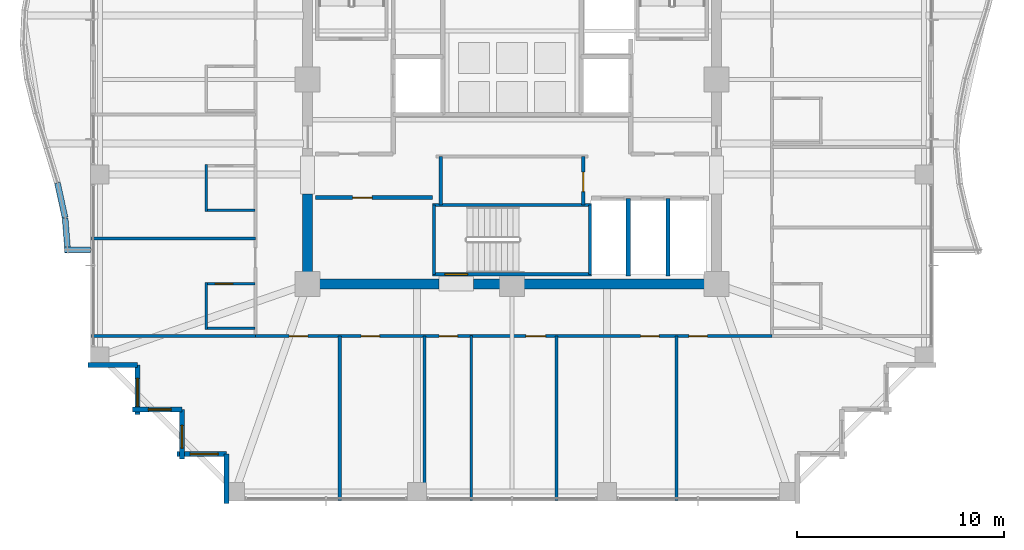
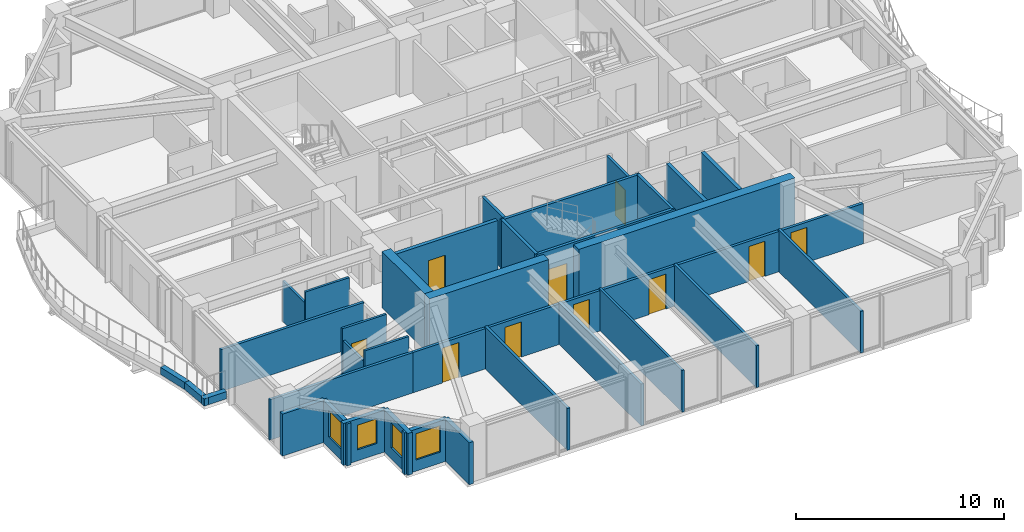
# One storey, part 28 of 34: 34 walls, 10 doors, 4 windows, 14 openings.
"""IFC4 building model written with IfcOpenShell, lengths in metres."""

from ifc_helpers import new_model, si_unit, direction, frame, frame_2d, origin, place, context, subcontext, project, spatial, rectangle, extrude, material, layer, layer_set, type_object, element, fill, save


model = new_model("IFC4")

# Units and contexts
model_context = context("Model", 3, precision=1e-05, world=origin(), true_north=direction((0.0, 1.0)))
body_context = subcontext(model_context, "Body", "Model", "MODEL_VIEW")
ifc_project = project(units=[si_unit("LENGTHUNIT", "METRE"), si_unit("AREAUNIT", "SQUARE_METRE"), si_unit("VOLUMEUNIT", "CUBIC_METRE"), si_unit("PLANEANGLEUNIT", "RADIAN"), si_unit("MASSUNIT", "GRAM", prefix="KILO")], contexts=[model_context])

# Site, building, storey
site_placement = place(None, origin())
site = spatial("IfcSite", under=ifc_project, at=site_placement, CompositionType="ELEMENT")
building_placement = place(site_placement, origin())
building = spatial("IfcBuilding", under=site, at=building_placement, Name="Kolvaren Belvedere", CompositionType="ELEMENT")
storey_placement = place(building_placement, frame((0.0, 0.0, 189.89990234375)))
storey = spatial("IfcBuildingStorey", under=building, at=storey_placement, Name="L55", CompositionType="ELEMENT", Elevation=189.89990234375)

# Walls
ifc_material_1 = material(Name="Concrete C50/60", Category="concrete")
ifc_layer_1 = layer(ifc_material_1, 0.5)
ifc_layer_set_1 = layer_set([ifc_layer_1], Name="Concrete C50/60")
wall_type_1 = type_object("IfcWallType", Name="CW-CORE-500", PredefinedType="SHEAR", material=ifc_layer_set_1)
wall_1_placement = place(storey_placement, frame((10.14990234375, -9.89990234375, 0.0), z_axis=(0.0, 0.0, 1.0), x_axis=(-1.0, 0.0, 0.0)))
element("IfcWall", 1, at=wall_1_placement, inside=storey, type_object=wall_type_1, Name="L55 South Core Shear Wall 1", PredefinedType="SHEAR", context=body_context, shape_type="SweptSolid", body=[
    extrude(rectangle(XDim=12.010009765625, YDim=0.5, at=frame_2d((6.0048828125, 0.0))), origin(), (0.0, 0.0, 1.0), 3.300048828125),
])
wall_2_placement = place(storey_placement, frame((-3.5400390625, -9.89990234375, 0.0), z_axis=(0.0, 0.0, 1.0), x_axis=(-1.0, 0.0, 0.0)))
element("IfcWall", 2, at=wall_2_placement, inside=storey, type_object=wall_type_1, Name="L55 South Core Shear Wall 2", PredefinedType="SHEAR", context=body_context, shape_type="SweptSolid", body=[
    extrude(rectangle(XDim=6.60986328125, YDim=0.5, at=frame_2d((3.304931640625, 0.0))), origin(), (0.0, 0.0, 1.0), 3.300048828125),
])
wall_3_placement = place(storey_placement, frame((-9.89990234375, -9.64990234375, 0.0), z_axis=(0.0, 0.0, 1.0), x_axis=(0.0, 1.0, 0.0)))
element("IfcWall", 3, at=wall_3_placement, inside=storey, type_object=wall_type_1, Name="L55 West Core Shear Wall 1", PredefinedType="SHEAR", context=body_context, shape_type="SweptSolid", body=[
    extrude(rectangle(XDim=4.099853515625, YDim=0.5, at=frame_2d((2.0498046875, 0.0))), origin(), (0.0, 0.0, 1.0), 3.300048828125),
])

# Wall, opening, door
ifc_material_2 = material(Name="Concrete C50/60", Category="concrete")
ifc_layer_2 = layer(ifc_material_2, 0.159912109375)
ifc_layer_set_2 = layer_set([ifc_layer_2], Name="Concrete C50/60")
wall_type_2 = type_object("IfcWallType", Name="CW-STAIR-160", PredefinedType="SHEAR", material=ifc_layer_set_2)
wall_4_placement = place(storey_placement, frame((3.860107421875, -9.429931640625, 0.0), z_axis=(0.0, 0.0, 1.0), x_axis=(-1.0, 0.0, 0.0)))
wall_4 = element("IfcWall", 4, at=wall_4_placement, inside=storey, type_object=wall_type_2, Name="L55 Stair ST-3 South Shear Wall", PredefinedType="SHEAR", context=body_context, shape_type="SweptSolid", body=[
    extrude(rectangle(XDim=7.72021484375, YDim=0.159912109375, at=frame_2d((3.860107421875, 0.0))), origin(), (0.0, 0.0, 1.0), 3.300048828125),
])
opening_1_placement = place(wall_4_placement, frame((6.010009765625, 0.0, 0.0)))
opening_1 = element("IfcOpeningElement", 5, at=opening_1_placement, cuts=wall_4, Name="Opening D-FD90", PredefinedType="OPENING", context=body_context, shape_type="SweptSolid", body=[
    extrude(rectangle(XDim=1.10009765625, YDim=2.199951171875, at=frame_2d((0.550048828125, 1.10009765625))), frame((0.0, 0.08984375, 0.0), z_axis=(0.0, -1.0, 0.0), x_axis=(1.0, 0.0, 0.0)), (0.0, 0.0, 1.0), 0.179931640625),
])
ifc_material_3 = material(Name="Painted hollow stainless steel", Category="steel")
door_type_1 = type_object("IfcDoorType", Name="DR-FD90-1100", OperationType="NOTDEFINED", PredefinedType="DOOR", material=ifc_material_3)
door_1_placement = place(opening_1_placement, origin())
door_1 = element("IfcDoor", 6, at=door_1_placement, inside=storey, type_object=door_type_1, Name="L55 Stair ST-3 Exit Door", OperationType="SINGLE_SWING_RIGHT", OverallHeight=2.199951171875, OverallWidth=1.10009765625, PredefinedType="DOOR", context=body_context, shape_type="SweptSolid", body=[
    extrude(rectangle(XDim=1.10009765625, YDim=2.199951171875, at=frame_2d((0.550048828125, 1.10009765625))), frame((0.0, 0.02490234375, 0.0), z_axis=(0.0, -1.0, 0.0), x_axis=(1.0, 0.0, 0.0)), (0.0, 0.0, 1.0), 0.050048828125),
])
fill(opening_1, door_1)

# Walls
wall_5_placement = place(storey_placement, frame((-3.860107421875, -6.080078125, 0.0), z_axis=(0.0, 0.0, 1.0), x_axis=(1.0, 0.0, 0.0)))
element("IfcWall", 7, at=wall_5_placement, inside=storey, type_object=wall_type_2, Name="L55 Stair ST-3 North Shear Wall", PredefinedType="SHEAR", context=body_context, shape_type="SweptSolid", body=[
    extrude(rectangle(XDim=7.72021484375, YDim=0.159912109375, at=frame_2d((3.860107421875, 0.0))), origin(), (0.0, 0.0, 1.0), 3.300048828125),
])
for number, where, z_axis, x_axis, name in (
    (8, (-3.780029296875, -9.429931640625, 0.0), (0.0, 0.0, 1.0), (0.0, 1.0, 0.0), "L55 Stair ST-3 West Shear Wall"),
    (9, (3.780029296875, -9.429931640625, 0.0), (0.0, 0.0, 1.0), (0.0, 1.0, 0.0), "L55 Stair ST-3 East Shear Wall"),
):
    element("IfcWall", number, at=place(storey_placement, frame(where, z_axis=z_axis, x_axis=x_axis)), inside=storey, type_object=wall_type_2, Name=name, PredefinedType="SHEAR", context=body_context, shape_type="SweptSolid", body=[
        extrude(rectangle(XDim=3.349853515625, YDim=0.159912109375, at=frame_2d((1.6748046875, 0.0))), origin(), (0.0, 0.0, 1.0), 3.300048828125),
    ])

# Wall, openings, doors
ifc_material_4 = material(Name="Gypsum fire-rated partition assembly", Category="gypsum")
ifc_layer_3 = layer(ifc_material_4, 0.14990234375)
ifc_layer_set_3 = layer_set([ifc_layer_3], Name="Gypsum fire-rated partition assembly")
wall_type_3 = type_object("IfcWallType", Name="WL-CORR-150", PredefinedType="PARTITIONING", material=ifc_layer_set_3)
wall_6_placement = place(storey_placement, frame((-12.419921875, -12.419921875, 0.0), z_axis=(0.0, 0.0, 1.0), x_axis=(1.0, 0.0, 0.0)))
wall_6 = element("IfcWall", 10, at=wall_6_placement, inside=storey, type_object=wall_type_3, Name="L55 South Corridor Wall", PredefinedType="PARTITIONING", context=body_context, shape_type="SweptSolid", body=[
    extrude(rectangle(XDim=25.0, YDim=0.14990234375, at=frame_2d((12.5, 0.0))), origin(), (0.0, 0.0, 1.0), 2.369140625),
])
opening_2_placement = place(wall_6_placement, frame((1.63330078125, 0.0, 0.0)))
opening_2 = element("IfcOpeningElement", 11, at=opening_2_placement, cuts=wall_6, Name="Opening D-INT90", PredefinedType="OPENING", context=body_context, shape_type="SweptSolid", body=[
    extrude(rectangle(XDim=0.89990234375, YDim=2.06005859375, at=frame_2d((0.449951171875, 1.030029296875))), frame((0.0, 0.0849609375, 0.0), z_axis=(0.0, -1.0, 0.0), x_axis=(1.0, 0.0, 0.0)), (0.0, 0.0, 1.0), 0.169921875),
])
opening_3_placement = place(wall_6_placement, frame((5.113037109375, 0.0, 0.0)))
opening_3 = element("IfcOpeningElement", 12, at=opening_3_placement, cuts=wall_6, Name="Opening D-INT90", PredefinedType="OPENING", context=body_context, shape_type="SweptSolid", body=[
    extrude(rectangle(XDim=0.89990234375, YDim=2.06005859375, at=frame_2d((0.449951171875, 1.030029296875))), frame((0.0, 0.0849609375, 0.0), z_axis=(0.0, -1.0, 0.0), x_axis=(1.0, 0.0, 0.0)), (0.0, 0.0, 1.0), 0.169921875),
])
opening_4_placement = place(wall_6_placement, frame((8.8916015625, 0.0, 0.0)))
opening_4 = element("IfcOpeningElement", 13, at=opening_4_placement, cuts=wall_6, Name="Opening D-INT90", PredefinedType="OPENING", context=body_context, shape_type="SweptSolid", body=[
    extrude(rectangle(XDim=0.89990234375, YDim=2.06005859375, at=frame_2d((0.449951171875, 1.030029296875))), frame((0.0, 0.0849609375, 0.0), z_axis=(0.0, -1.0, 0.0), x_axis=(1.0, 0.0, 0.0)), (0.0, 0.0, 1.0), 0.169921875),
])
opening_5_placement = place(wall_6_placement, frame((13.096923828125, 0.0, 0.0)))
opening_5 = element("IfcOpeningElement", 14, at=opening_5_placement, cuts=wall_6, Name="Opening D-INT95", PredefinedType="OPENING", context=body_context, shape_type="SweptSolid", body=[
    extrude(rectangle(XDim=0.949951171875, YDim=2.06005859375, at=frame_2d((0.47509765625, 1.030029296875))), frame((0.0, 0.0849609375, 0.0), z_axis=(0.0, -1.0, 0.0), x_axis=(1.0, 0.0, 0.0)), (0.0, 0.0, 1.0), 0.169921875),
])
opening_6_placement = place(wall_6_placement, frame((18.646484375, 0.0, 0.0)))
opening_6 = element("IfcOpeningElement", 15, at=opening_6_placement, cuts=wall_6, Name="Opening D-INT90", PredefinedType="OPENING", context=body_context, shape_type="SweptSolid", body=[
    extrude(rectangle(XDim=0.89990234375, YDim=2.06005859375, at=frame_2d((0.449951171875, 1.030029296875))), frame((0.0, 0.0849609375, 0.0), z_axis=(0.0, -1.0, 0.0), x_axis=(1.0, 0.0, 0.0)), (0.0, 0.0, 1.0), 0.169921875),
])
opening_7_placement = place(wall_6_placement, frame((20.9814453125, 0.0, 0.0)))
opening_7 = element("IfcOpeningElement", 16, at=opening_7_placement, cuts=wall_6, Name="Opening D-INT90", PredefinedType="OPENING", context=body_context, shape_type="SweptSolid", body=[
    extrude(rectangle(XDim=0.89990234375, YDim=2.06005859375, at=frame_2d((0.449951171875, 1.030029296875))), frame((0.0, 0.0849609375, 0.0), z_axis=(0.0, -1.0, 0.0), x_axis=(1.0, 0.0, 0.0)), (0.0, 0.0, 1.0), 0.169921875),
])
ifc_material_5 = material(Name="Stained Pacific white oak", Category="timber")
door_type_2 = type_object("IfcDoorType", Name="DR-INT-900", OperationType="NOTDEFINED", PredefinedType="DOOR", material=ifc_material_5)
door_2_placement = place(opening_2_placement, origin())
door_2 = element("IfcDoor", 17, at=door_2_placement, inside=storey, type_object=door_type_2, Name="L55 Guest Tea & Espresso Kitchen 5501 Door", OperationType="SINGLE_SWING_LEFT", OverallHeight=2.06005859375, OverallWidth=0.89990234375, PredefinedType="DOOR", context=body_context, shape_type="SweptSolid", body=[
    extrude(rectangle(XDim=0.89990234375, YDim=2.06005859375, at=frame_2d((0.449951171875, 1.030029296875))), frame((0.0, 0.02490234375, 0.0), z_axis=(0.0, -1.0, 0.0), x_axis=(1.0, 0.0, 0.0)), (0.0, 0.0, 1.0), 0.050048828125),
])
fill(opening_2, door_2)
door_3_placement = place(opening_3_placement, origin())
door_3 = element("IfcDoor", 18, at=door_3_placement, inside=storey, type_object=door_type_2, Name="L55 Private Hospitality Meeting Room 5502 Door", OperationType="SINGLE_SWING_RIGHT", OverallHeight=2.06005859375, OverallWidth=0.89990234375, PredefinedType="DOOR", context=body_context, shape_type="SweptSolid", body=[
    extrude(rectangle(XDim=0.89990234375, YDim=2.06005859375, at=frame_2d((0.449951171875, 1.030029296875))), frame((0.0, 0.02490234375, 0.0), z_axis=(0.0, -1.0, 0.0), x_axis=(1.0, 0.0, 0.0)), (0.0, 0.0, 1.0), 0.050048828125),
])
fill(opening_3, door_3)
door_4_placement = place(opening_4_placement, origin())
door_4 = element("IfcDoor", 19, at=door_4_placement, inside=storey, type_object=door_type_2, Name="L55 Housekeeping Door", OperationType="SINGLE_SWING_LEFT", OverallHeight=2.06005859375, OverallWidth=0.89990234375, PredefinedType="DOOR", context=body_context, shape_type="SweptSolid", body=[
    extrude(rectangle(XDim=0.89990234375, YDim=2.06005859375, at=frame_2d((0.449951171875, 1.030029296875))), frame((0.0, 0.02490234375, 0.0), z_axis=(0.0, -1.0, 0.0), x_axis=(1.0, 0.0, 0.0)), (0.0, 0.0, 1.0), 0.050048828125),
])
fill(opening_4, door_4)
door_5_placement = place(opening_6_placement, origin())
door_5 = element("IfcDoor", 20, at=door_5_placement, inside=storey, type_object=door_type_2, Name="L55 Botanical Reading Salon 5503 Door", OperationType="SINGLE_SWING_LEFT", OverallHeight=2.06005859375, OverallWidth=0.89990234375, PredefinedType="DOOR", context=body_context, shape_type="SweptSolid", body=[
    extrude(rectangle(XDim=0.89990234375, YDim=2.06005859375, at=frame_2d((0.449951171875, 1.030029296875))), frame((0.0, 0.02490234375, 0.0), z_axis=(0.0, -1.0, 0.0), x_axis=(1.0, 0.0, 0.0)), (0.0, 0.0, 1.0), 0.050048828125),
])
fill(opening_6, door_5)
door_6_placement = place(opening_7_placement, origin())
door_6 = element("IfcDoor", 21, at=door_6_placement, inside=storey, type_object=door_type_2, Name="L55 Lounge 5504 Door", OperationType="SINGLE_SWING_RIGHT", OverallHeight=2.06005859375, OverallWidth=0.89990234375, PredefinedType="DOOR", context=body_context, shape_type="SweptSolid", body=[
    extrude(rectangle(XDim=0.89990234375, YDim=2.06005859375, at=frame_2d((0.449951171875, 1.030029296875))), frame((0.0, 0.02490234375, 0.0), z_axis=(0.0, -1.0, 0.0), x_axis=(1.0, 0.0, 0.0)), (0.0, 0.0, 1.0), 0.050048828125),
])
fill(opening_7, door_6)
ifc_material_6 = material(Name="Stained Pacific white oak", Category="timber")
door_type_3 = type_object("IfcDoorType", Name="DR-INT-950", OperationType="NOTDEFINED", PredefinedType="DOOR", material=ifc_material_6)
door_7_placement = place(opening_5_placement, origin())
door_7 = element("IfcDoor", 22, at=door_7_placement, inside=storey, type_object=door_type_3, Name="L55 Accessible Washroom Door", OperationType="SINGLE_SWING_RIGHT", OverallHeight=2.06005859375, OverallWidth=0.949951171875, PredefinedType="DOOR", context=body_context, shape_type="SweptSolid", body=[
    extrude(rectangle(XDim=0.949951171875, YDim=2.06005859375, at=frame_2d((0.47509765625, 1.030029296875))), frame((0.0, 0.02490234375, 0.0), z_axis=(0.0, -1.0, 0.0), x_axis=(1.0, 0.0, 0.0)), (0.0, 0.0, 1.0), 0.050048828125),
])
fill(opening_5, door_7)

# Wall
ifc_material_7 = material(Name="Insulated pale-metal facade wall assembly", Category="aluminium")
ifc_layer_4 = layer(ifc_material_7, 0.239990234375)
ifc_layer_set_4 = layer_set([ifc_layer_4], Name="Insulated pale-metal facade wall assembly")
wall_type_4 = type_object("IfcWallType", Name="WL-EXT-240", PredefinedType="STANDARD", material=ifc_layer_set_4)
wall_7_placement = place(storey_placement, frame((-18.1298828125, -13.830078125, 0.0), z_axis=(0.0, 0.0, 1.0), x_axis=(-1.0, 0.0, 0.0)))
element("IfcWall", 23, at=wall_7_placement, inside=storey, type_object=wall_type_4, Name="L55 Serrated Corner Facade Wall 23", PredefinedType="STANDARD", context=body_context, shape_type="SweptSolid", body=[
    extrude(rectangle(XDim=2.39013671875, YDim=0.239990234375, at=frame_2d((1.195068359375, 0.0))), origin(), (0.0, 0.0, 1.0), 2.463134765625),
])

# Wall, opening, window
wall_8_placement = place(storey_placement, frame((-18.1298828125, -16.219970703125, 0.0), z_axis=(0.0, 0.0, 1.0), x_axis=(0.0, 1.0, 0.0)))
wall_8 = element("IfcWall", 24, at=wall_8_placement, inside=storey, type_object=wall_type_4, Name="L55 Serrated Corner Facade Wall 24", PredefinedType="STANDARD", context=body_context, shape_type="SweptSolid", body=[
    extrude(rectangle(XDim=2.389892578125, YDim=0.239990234375, at=frame_2d((1.19482421875, 0.0))), origin(), (0.0, 0.0, 1.0), 2.463134765625),
])
opening_8_placement = place(wall_8_placement, frame((0.39990234375, 0.0, 0.64990234375)))
opening_8 = element("IfcOpeningElement", 25, at=opening_8_placement, cuts=wall_8, Name="Opening W-1350", PredefinedType="OPENING", context=body_context, shape_type="SweptSolid", body=[
    extrude(rectangle(XDim=1.35009765625, YDim=1.550048828125, at=frame_2d((0.675048828125, 0.77490234375))), frame((0.0, 0.1298828125, 0.0), z_axis=(0.0, -1.0, 0.0), x_axis=(1.0, 0.0, 0.0)), (0.0, 0.0, 1.0), 0.260009765625),
])
ifc_material_8 = material(Name="Low-iron triple insulated glass", Category="glass")
window_type_1 = type_object("IfcWindowType", Name="WN-CORN-1350", PartitioningType="SINGLE_PANEL", PredefinedType="WINDOW", material=ifc_material_8)
window_1_placement = place(opening_8_placement, origin())
window_1 = element("IfcWindow", 26, at=window_1_placement, inside=storey, type_object=window_type_1, Name="L55 Serrated Corner Vision Window 24", OverallHeight=1.550048828125, OverallWidth=1.35009765625, PartitioningType="SINGLE_PANEL", PredefinedType="WINDOW", context=body_context, shape_type="SweptSolid", body=[
    extrude(rectangle(XDim=1.35009765625, YDim=1.550048828125, at=frame_2d((0.675048828125, 0.77490234375))), frame((0.0, 0.030029296875, 0.0), z_axis=(0.0, -1.0, 0.0), x_axis=(1.0, 0.0, 0.0)), (0.0, 0.0, 1.0), 0.06005859375),
])
fill(opening_8, window_1)

wall_9_placement = place(storey_placement, frame((-15.97998046875, -15.97998046875, 0.0), z_axis=(0.0, 0.0, 1.0), x_axis=(-1.0, 0.0, 0.0)))
wall_9 = element("IfcWall", 27, at=wall_9_placement, inside=storey, type_object=wall_type_4, Name="L55 Serrated Corner Facade Wall 25", PredefinedType="STANDARD", context=body_context, shape_type="SweptSolid", body=[
    extrude(rectangle(XDim=2.39013671875, YDim=0.239990234375, at=frame_2d((1.195068359375, 0.0))), origin(), (0.0, 0.0, 1.0), 2.463134765625),
])
opening_9_placement = place(wall_9_placement, frame((0.52490234375, 0.0, 0.64990234375)))
opening_9 = element("IfcOpeningElement", 28, at=opening_9_placement, cuts=wall_9, Name="Opening W-1100", PredefinedType="OPENING", context=body_context, shape_type="SweptSolid", body=[
    extrude(rectangle(XDim=1.10009765625, YDim=1.449951171875, at=frame_2d((0.550048828125, 0.72509765625))), frame((0.0, 0.1298828125, 0.0), z_axis=(0.0, -1.0, 0.0), x_axis=(1.0, 0.0, 0.0)), (0.0, 0.0, 1.0), 0.260009765625),
])
ifc_material_9 = material(Name="Low-iron triple insulated glass", Category="glass")
window_type_2 = type_object("IfcWindowType", Name="WN-CORN-1100", PartitioningType="SINGLE_PANEL", PredefinedType="WINDOW", material=ifc_material_9)
window_2_placement = place(opening_9_placement, origin())
window_2 = element("IfcWindow", 29, at=window_2_placement, inside=storey, type_object=window_type_2, Name="L55 Serrated Corner Vision Window 25", OverallHeight=1.449951171875, OverallWidth=1.10009765625, PartitioningType="SINGLE_PANEL", PredefinedType="WINDOW", context=body_context, shape_type="SweptSolid", body=[
    extrude(rectangle(XDim=1.10009765625, YDim=1.449951171875, at=frame_2d((0.550048828125, 0.72509765625))), frame((0.0, 0.030029296875, 0.0), z_axis=(0.0, -1.0, 0.0), x_axis=(1.0, 0.0, 0.0)), (0.0, 0.0, 1.0), 0.06005859375),
])
fill(opening_9, window_2)

wall_10_placement = place(storey_placement, frame((-15.97998046875, -18.3701171875, 0.0), z_axis=(0.0, 0.0, 1.0), x_axis=(0.0, 1.0, 0.0)))
wall_10 = element("IfcWall", 30, at=wall_10_placement, inside=storey, type_object=wall_type_4, Name="L55 Serrated Corner Facade Wall 26", PredefinedType="STANDARD", context=body_context, shape_type="SweptSolid", body=[
    extrude(rectangle(XDim=2.39013671875, YDim=0.239990234375, at=frame_2d((1.195068359375, 0.0))), origin(), (0.0, 0.0, 1.0), 2.463134765625),
])
opening_10_placement = place(wall_10_placement, frame((0.52490234375, 0.0, 0.64990234375)))
opening_10 = element("IfcOpeningElement", 31, at=opening_10_placement, cuts=wall_10, Name="Opening W-1100", PredefinedType="OPENING", context=body_context, shape_type="SweptSolid", body=[
    extrude(rectangle(XDim=1.10009765625, YDim=1.449951171875, at=frame_2d((0.550048828125, 0.72509765625))), frame((0.0, 0.1298828125, 0.0), z_axis=(0.0, -1.0, 0.0), x_axis=(1.0, 0.0, 0.0)), (0.0, 0.0, 1.0), 0.260009765625),
])
window_3_placement = place(opening_10_placement, origin())
window_3 = element("IfcWindow", 32, at=window_3_placement, inside=storey, type_object=window_type_2, Name="L55 Serrated Corner Vision Window 26", OverallHeight=1.449951171875, OverallWidth=1.10009765625, PartitioningType="SINGLE_PANEL", PredefinedType="WINDOW", context=body_context, shape_type="SweptSolid", body=[
    extrude(rectangle(XDim=1.10009765625, YDim=1.449951171875, at=frame_2d((0.550048828125, 0.72509765625))), frame((0.0, 0.030029296875, 0.0), z_axis=(0.0, -1.0, 0.0), x_axis=(1.0, 0.0, 0.0)), (0.0, 0.0, 1.0), 0.06005859375),
])
fill(opening_10, window_3)

wall_11_placement = place(storey_placement, frame((-13.830078125, -18.1298828125, 0.0), z_axis=(0.0, 0.0, 1.0), x_axis=(-1.0, 0.0, 0.0)))
wall_11 = element("IfcWall", 33, at=wall_11_placement, inside=storey, type_object=wall_type_4, Name="L55 Serrated Corner Facade Wall 27", PredefinedType="STANDARD", context=body_context, shape_type="SweptSolid", body=[
    extrude(rectangle(XDim=2.389892578125, YDim=0.239990234375, at=frame_2d((1.19482421875, 0.0))), origin(), (0.0, 0.0, 1.0), 2.463134765625),
])
opening_11_placement = place(wall_11_placement, frame((0.39990234375, 0.0, 0.64990234375)))
opening_11 = element("IfcOpeningElement", 34, at=opening_11_placement, cuts=wall_11, Name="Opening W-1350", PredefinedType="OPENING", context=body_context, shape_type="SweptSolid", body=[
    extrude(rectangle(XDim=1.35009765625, YDim=1.550048828125, at=frame_2d((0.675048828125, 0.77490234375))), frame((0.0, 0.1298828125, 0.0), z_axis=(0.0, -1.0, 0.0), x_axis=(1.0, 0.0, 0.0)), (0.0, 0.0, 1.0), 0.260009765625),
])
window_4_placement = place(opening_11_placement, origin())
window_4 = element("IfcWindow", 35, at=window_4_placement, inside=storey, type_object=window_type_1, Name="L55 Serrated Corner Vision Window 27", OverallHeight=1.550048828125, OverallWidth=1.35009765625, PartitioningType="SINGLE_PANEL", PredefinedType="WINDOW", context=body_context, shape_type="SweptSolid", body=[
    extrude(rectangle(XDim=1.35009765625, YDim=1.550048828125, at=frame_2d((0.675048828125, 0.77490234375))), frame((0.0, 0.030029296875, 0.0), z_axis=(0.0, -1.0, 0.0), x_axis=(1.0, 0.0, 0.0)), (0.0, 0.0, 1.0), 0.06005859375),
])
fill(opening_11, window_4)

# Wall
wall_12_placement = place(storey_placement, frame((-13.830078125, -20.52001953125, 0.0), z_axis=(0.0, 0.0, 1.0), x_axis=(0.0, 1.0, 0.0)))
element("IfcWall", 36, at=wall_12_placement, inside=storey, type_object=wall_type_4, Name="L55 Serrated Corner Facade Wall 28", PredefinedType="STANDARD", context=body_context, shape_type="SweptSolid", body=[
    extrude(rectangle(XDim=2.39013671875, YDim=0.239990234375, at=frame_2d((1.195068359375, 0.0))), origin(), (0.0, 0.0, 1.0), 2.463134765625),
])

# Wall, opening, door
ifc_material_10 = material(Name="Gypsum acoustic partition assembly", Category="gypsum")
ifc_layer_5 = layer(ifc_material_10, 0.14990234375)
ifc_layer_set_5 = layer_set([ifc_layer_5], Name="Gypsum acoustic partition assembly")
wall_type_5 = type_object("IfcWallType", Name="WL-PART-150", PredefinedType="PARTITIONING", material=ifc_layer_set_5)
wall_13_placement = place(storey_placement, frame((3.449951171875, -6.080078125, 0.0), z_axis=(0.0, 0.0, 1.0), x_axis=(0.0, 1.0, 0.0)))
wall_13 = element("IfcWall", 37, at=wall_13_placement, inside=storey, type_object=wall_type_5, Name="L55 South Core Service East Wall", PredefinedType="PARTITIONING", context=body_context, shape_type="SweptSolid", body=[
    extrude(rectangle(XDim=2.360107421875, YDim=0.14990234375, at=frame_2d((1.18017578125, 0.0))), origin(), (0.0, 0.0, 1.0), 3.080078125),
])
opening_12_placement = place(wall_13_placement, frame((0.64990234375, 0.0, 0.0)))
opening_12 = element("IfcOpeningElement", 38, at=opening_12_placement, cuts=wall_13, Name="Opening D-FD60", PredefinedType="OPENING", context=body_context, shape_type="SweptSolid", body=[
    extrude(rectangle(XDim=0.949951171875, YDim=2.06005859375, at=frame_2d((0.47509765625, 1.030029296875))), frame((0.0, 0.0849609375, 0.0), z_axis=(0.0, -1.0, 0.0), x_axis=(1.0, 0.0, 0.0)), (0.0, 0.0, 1.0), 0.169921875),
])
ifc_material_11 = material(Name="Acoustic white-oak fire door leaf", Category="timber")
door_type_4 = type_object("IfcDoorType", Name="DR-FD60-950", OperationType="NOTDEFINED", PredefinedType="DOOR", material=ifc_material_11)
door_8_placement = place(opening_12_placement, origin())
door_8 = element("IfcDoor", 39, at=door_8_placement, inside=storey, type_object=door_type_4, Name="L55 Core Service Room Door", OperationType="SINGLE_SWING_LEFT", OverallHeight=2.06005859375, OverallWidth=0.949951171875, PredefinedType="DOOR", context=body_context, shape_type="SweptSolid", body=[
    extrude(rectangle(XDim=0.949951171875, YDim=2.06005859375, at=frame_2d((0.47509765625, 1.030029296875))), frame((0.0, 0.02490234375, 0.0), z_axis=(0.0, -1.0, 0.0), x_axis=(1.0, 0.0, 0.0)), (0.0, 0.0, 1.0), 0.050048828125),
])
fill(opening_12, door_8)

# Walls
wall_14_placement = place(storey_placement, frame((-3.449951171875, -6.080078125, 0.0), z_axis=(0.0, 0.0, 1.0), x_axis=(0.0, 1.0, 0.0)))
element("IfcWall", 40, at=wall_14_placement, inside=storey, type_object=wall_type_5, Name="L55 South Core Service West Wall", PredefinedType="PARTITIONING", context=body_context, shape_type="SweptSolid", body=[
    extrude(rectangle(XDim=2.360107421875, YDim=0.14990234375, at=frame_2d((1.18017578125, 0.0))), origin(), (0.0, 0.0, 1.0), 3.080078125),
])
wall_15_placement = place(storey_placement, frame((-20.3798828125, -12.419921875, 0.0), z_axis=(0.0, 0.0, 1.0), x_axis=(1.0, 0.0, 0.0)))
element("IfcWall", 41, at=wall_15_placement, inside=storey, type_object=wall_type_5, Name="L55 Wing Divider PW-L55-QSW", PredefinedType="PARTITIONING", context=body_context, shape_type="SweptSolid", body=[
    extrude(rectangle(XDim=7.9599609375, YDim=0.14990234375, at=frame_2d((3.97998046875, 0.0))), origin(), (0.0, 0.0, 1.0), 2.369140625),
])
for number, where, z_axis, x_axis, name in (
    (42, (-8.340087890625, -20.3798828125, 0.0), (0.0, 0.0, 1.0), (0.0, 1.0, 0.0), "L55 South Suite Demising Wall 1"),
    (43, (-4.239990234375, -20.3798828125, 0.0), (0.0, 0.0, 1.0), (0.0, 1.0, 0.0), "L55 South Suite Demising Wall 2"),
    (44, (2.159912109375, -20.3798828125, 0.0), (0.0, 0.0, 1.0), (0.0, 1.0, 0.0), "L55 South Suite Demising Wall 3"),
    (45, (7.9599609375, -20.3798828125, 0.0), (0.0, 0.0, 1.0), (0.0, 1.0, 0.0), "L55 South Suite Demising Wall 4"),
    (46, (-20.3798828125, -7.7041015625, 0.0), (0.0, 0.0, 1.0), (1.0, 0.0, 0.0), "L55 West Suite Demising Wall 1"),
):
    element("IfcWall", number, at=place(storey_placement, frame(where, z_axis=z_axis, x_axis=x_axis)), inside=storey, type_object=wall_type_5, Name=name, PredefinedType="PARTITIONING", context=body_context, shape_type="SweptSolid", body=[
        extrude(rectangle(XDim=7.9599609375, YDim=0.14990234375, at=frame_2d((3.97998046875, 0.0))), origin(), (0.0, 0.0, 1.0), 2.453125),
    ])
ifc_material_12 = material(Name="Precast concrete C40/50", Category="concrete")
ifc_layer_6 = layer(ifc_material_12, 0.300048828125)
ifc_layer_set_6 = layer_set([ifc_layer_6], Name="Precast concrete C40/50")
wall_type_6 = type_object("IfcWallType", Name="WL-PLANTER-300", PredefinedType="PARAPET", material=ifc_layer_set_6)
wall_16_placement = place(storey_placement, frame((-22.0048828125, -5.005859375, -0.039794921875), z_axis=(0.0, 0.0, 1.0), x_axis=(0.213802724545, -0.976876857632, 0.0)))
element("IfcWall", 47, at=wall_16_placement, inside=storey, type_object=wall_type_6, Name="L55 Precast Structural Planter Wall BAL-W-9", PredefinedType="PARAPET", context=body_context, shape_type="SweptSolid", body=[
    extrude(rectangle(XDim=1.7197265625, YDim=0.280029296875, at=frame_2d((0.85986328125, 0.0))), origin(), (0.0, 0.0, 1.0), 0.419921875),
])
wall_17_placement = place(storey_placement, frame((-21.634033203125, -6.707275390625, -0.039794921875), z_axis=(0.0, 0.0, 1.0), x_axis=(0.079244268248, -0.99685522818, 0.0)))
element("IfcWall", 48, at=wall_17_placement, inside=storey, type_object=wall_type_6, Name="L55 Precast Structural Planter Wall BAL-W-10", PredefinedType="PARAPET", context=body_context, shape_type="SweptSolid", body=[
    extrude(rectangle(XDim=1.685302734375, YDim=0.280029296875, at=frame_2d((0.8427734375, 0.0))), origin(), (0.0, 0.0, 1.0), 0.419921875),
])
wall_18_placement = place(storey_placement, frame((-21.659912109375, -8.239990234375, -0.039794921875), z_axis=(0.0, 0.0, 1.0), x_axis=(1.0, 0.0, 0.0)))
element("IfcWall", 49, at=wall_18_placement, inside=storey, type_object=wall_type_6, Name="L55 Precast Structural Planter Wall BAL-W-11", PredefinedType="PARAPET", context=body_context, shape_type="SweptSolid", body=[
    extrude(rectangle(XDim=1.260009765625, YDim=0.280029296875, at=frame_2d((0.6298828125, 0.0))), origin(), (0.0, 0.0, 1.0), 0.419921875),
])

# Wall, opening, door
ifc_material_13 = material(Name="Concrete C50/60", Category="concrete")
ifc_layer_7 = layer(ifc_material_13, 0.199951171875)
ifc_layer_set_7 = layer_set([ifc_layer_7], Name="Concrete C50/60")
wall_type_7 = type_object("IfcWallType", Name="WL-SHAFT-200", PredefinedType="SOLIDWALL", material=ifc_layer_set_7)
wall_19_placement = place(storey_placement, frame((-9.52001953125, -5.719970703125, 0.0), z_axis=(0.0, 0.0, 1.0), x_axis=(1.0, 0.0, 0.0)))
wall_19 = element("IfcWall", 50, at=wall_19_placement, inside=storey, type_object=wall_type_7, Name="L55 Reclaimed Mid Room North Wall", PredefinedType="SOLIDWALL", context=body_context, shape_type="SweptSolid", body=[
    extrude(rectangle(XDim=5.659912109375, YDim=0.199951171875, at=frame_2d((2.830078125, 0.0))), origin(), (0.0, 0.0, 1.0), 3.080078125),
])
opening_13_placement = place(wall_19_placement, frame((1.800048828125, 0.0, 0.0)))
opening_13 = element("IfcOpeningElement", 51, at=opening_13_placement, cuts=wall_19, Name="Opening D-FD60", PredefinedType="OPENING", context=body_context, shape_type="SweptSolid", body=[
    extrude(rectangle(XDim=0.949951171875, YDim=2.06005859375, at=frame_2d((0.47509765625, 1.030029296875))), frame((0.0, 0.10986328125, 0.0), z_axis=(0.0, -1.0, 0.0), x_axis=(1.0, 0.0, 0.0)), (0.0, 0.0, 1.0), 0.219970703125),
])
door_9_placement = place(opening_13_placement, origin())
door_9 = element("IfcDoor", 52, at=door_9_placement, inside=storey, type_object=door_type_4, Name="L55 Sky Sommelier & Tasting Room Entry Door", OperationType="SINGLE_SWING_LEFT", OverallHeight=2.06005859375, OverallWidth=0.949951171875, PredefinedType="DOOR", context=body_context, shape_type="SweptSolid", body=[
    extrude(rectangle(XDim=0.949951171875, YDim=2.06005859375, at=frame_2d((0.47509765625, 1.030029296875))), frame((0.0, 0.02490234375, 0.0), z_axis=(0.0, -1.0, 0.0), x_axis=(1.0, 0.0, 0.0)), (0.0, 0.0, 1.0), 0.050048828125),
])
fill(opening_13, door_9)

# Walls
for number, where, z_axis, x_axis, name in (
    (53, (5.6298828125, -9.52001953125, 0.0), (0.0, 0.0, 1.0), (0.0, 1.0, 0.0), "L55 High-Rise Hoistway Divider 1"),
    (54, (7.56005859375, -9.52001953125, 0.0), (0.0, 0.0, 1.0), (0.0, 1.0, 0.0), "L55 High-Rise Hoistway Divider 2"),
):
    element("IfcWall", number, at=place(storey_placement, frame(where, z_axis=z_axis, x_axis=x_axis)), inside=storey, type_object=wall_type_7, Name=name, PredefinedType="SOLIDWALL", context=body_context, shape_type="SweptSolid", body=[
        extrude(rectangle(XDim=3.77001953125, YDim=0.199951171875, at=frame_2d((1.885009765625, 0.0))), origin(), (0.0, 0.0, 1.0), 3.080078125),
    ])
ifc_material_14 = material(Name="Moisture-resistant gypsum partition", Category="gypsum")
ifc_layer_8 = layer(ifc_material_14, 0.125)
ifc_layer_set_8 = layer_set([ifc_layer_8], Name="Moisture-resistant gypsum partition")
wall_type_8 = type_object("IfcWallType", Name="WL-WET-125", PredefinedType="PARTITIONING", material=ifc_layer_set_8)
wall_20_placement = place(storey_placement, frame((-1.97705078125, -20.3798828125, 0.0), z_axis=(0.0, 0.0, 1.0), x_axis=(0.0, 1.0, 0.0)))
element("IfcWall", 55, at=wall_20_placement, inside=storey, type_object=wall_type_8, Name="L55 Housekeeping Washroom Divider", PredefinedType="PARTITIONING", context=body_context, shape_type="SweptSolid", body=[
    extrude(rectangle(XDim=7.98486328125, YDim=0.125, at=frame_2d((3.992431640625, 0.0))), origin(), (0.0, 0.0, 1.0), 2.453125),
])

# Wall, opening, door
wall_21_placement = place(storey_placement, frame((-14.875, -9.89111328125, 0.0), z_axis=(0.0, 0.0, 1.0), x_axis=(1.0, 0.0, 0.0)))
wall_21 = element("IfcWall", 56, at=wall_21_placement, inside=storey, type_object=wall_type_8, Name="L55 Bathroom Partition PW-L55-BTH-10-N", PredefinedType="PARTITIONING", context=body_context, shape_type="SweptSolid", body=[
    extrude(rectangle(XDim=2.43994140625, YDim=0.125, at=frame_2d((1.219970703125, 0.0))), origin(), (0.0, 0.0, 1.0), 3.080078125),
])
opening_14_placement = place(wall_21_placement, frame((0.5, 0.0, 0.0)))
opening_14 = element("IfcOpeningElement", 57, at=opening_14_placement, cuts=wall_21, Name="Opening D-BTH85", PredefinedType="OPENING", context=body_context, shape_type="SweptSolid", body=[
    extrude(rectangle(XDim=0.85009765625, YDim=2.030029296875, at=frame_2d((0.425048828125, 1.01513671875))), frame((0.0, 0.072509765625, 0.0), z_axis=(0.0, -1.0, 0.0), x_axis=(1.0, 0.0, 0.0)), (0.0, 0.0, 1.0), 0.14501953125),
])
ifc_material_15 = material(Name="Moisture-sealed Pacific white oak", Category="timber")
door_type_5 = type_object("IfcDoorType", Name="DR-BATH-850", OperationType="NOTDEFINED", PredefinedType="DOOR", material=ifc_material_15)
door_10_placement = place(opening_14_placement, origin())
door_10 = element("IfcDoor", 58, at=door_10_placement, inside=storey, type_object=door_type_5, Name="L55 En-Suite Bathroom 5510 Door", OperationType="SINGLE_SWING_LEFT", OverallHeight=2.030029296875, OverallWidth=0.85009765625, PredefinedType="DOOR", context=body_context, shape_type="SweptSolid", body=[
    extrude(rectangle(XDim=0.85009765625, YDim=2.030029296875, at=frame_2d((0.425048828125, 1.01513671875))), frame((0.0, 0.02490234375, 0.0), z_axis=(0.0, -1.0, 0.0), x_axis=(1.0, 0.0, 0.0)), (0.0, 0.0, 1.0), 0.050048828125),
])
fill(opening_14, door_10)

# Walls
wall_22_placement = place(storey_placement, frame((-14.794921875, -12.10107421875, 0.0), z_axis=(0.0, 0.0, 1.0), x_axis=(0.0, 1.0, 0.0)))
element("IfcWall", 59, at=wall_22_placement, inside=storey, type_object=wall_type_8, Name="L55 Bathroom Partition PW-L55-BTH-10-V", PredefinedType="PARTITIONING", context=body_context, shape_type="SweptSolid", body=[
    extrude(rectangle(XDim=2.27001953125, YDim=0.125, at=frame_2d((1.135009765625, 0.0))), origin(), (0.0, 0.0, 1.0), 2.369140625),
])
wall_23_placement = place(storey_placement, frame((-14.875, -12.041015625, 0.0), z_axis=(0.0, 0.0, 1.0), x_axis=(1.0, 0.0, 0.0)))
element("IfcWall", 60, at=wall_23_placement, inside=storey, type_object=wall_type_8, Name="L55 Bathroom Partition PW-L55-BTH-10-S", PredefinedType="PARTITIONING", context=body_context, shape_type="SweptSolid", body=[
    extrude(rectangle(XDim=2.43994140625, YDim=0.125, at=frame_2d((1.219970703125, 0.0))), origin(), (0.0, 0.0, 1.0), 3.080078125),
])
wall_24_placement = place(storey_placement, frame((-14.794921875, -6.39404296875, 0.0), z_axis=(0.0, 0.0, 1.0), x_axis=(0.0, 1.0, 0.0)))
element("IfcWall", 61, at=wall_24_placement, inside=storey, type_object=wall_type_8, Name="L55 Bathroom Partition PW-L55-BTH-11-V", PredefinedType="PARTITIONING", context=body_context, shape_type="SweptSolid", body=[
    extrude(rectangle(XDim=2.27001953125, YDim=0.125, at=frame_2d((1.135009765625, 0.0))), origin(), (0.0, 0.0, 1.0), 2.369140625),
])
wall_25_placement = place(storey_placement, frame((-14.875, -6.333984375, 0.0), z_axis=(0.0, 0.0, 1.0), x_axis=(1.0, 0.0, 0.0)))
element("IfcWall", 62, at=wall_25_placement, inside=storey, type_object=wall_type_8, Name="L55 Bathroom Partition PW-L55-BTH-11-S", PredefinedType="PARTITIONING", context=body_context, shape_type="SweptSolid", body=[
    extrude(rectangle(XDim=2.43994140625, YDim=0.125, at=frame_2d((1.219970703125, 0.0))), origin(), (0.0, 0.0, 1.0), 3.080078125),
])

save(model, "model.ifc")
